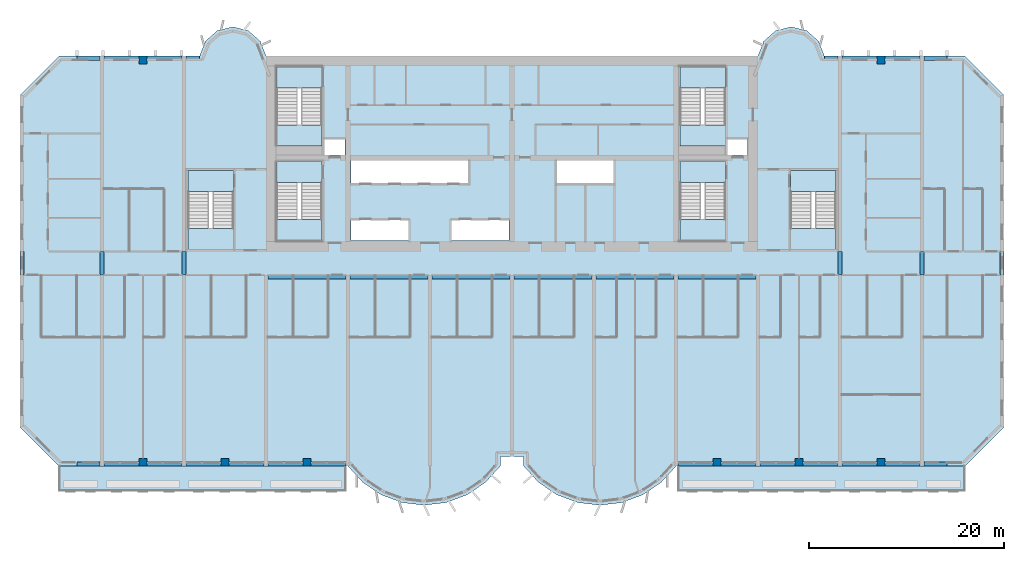
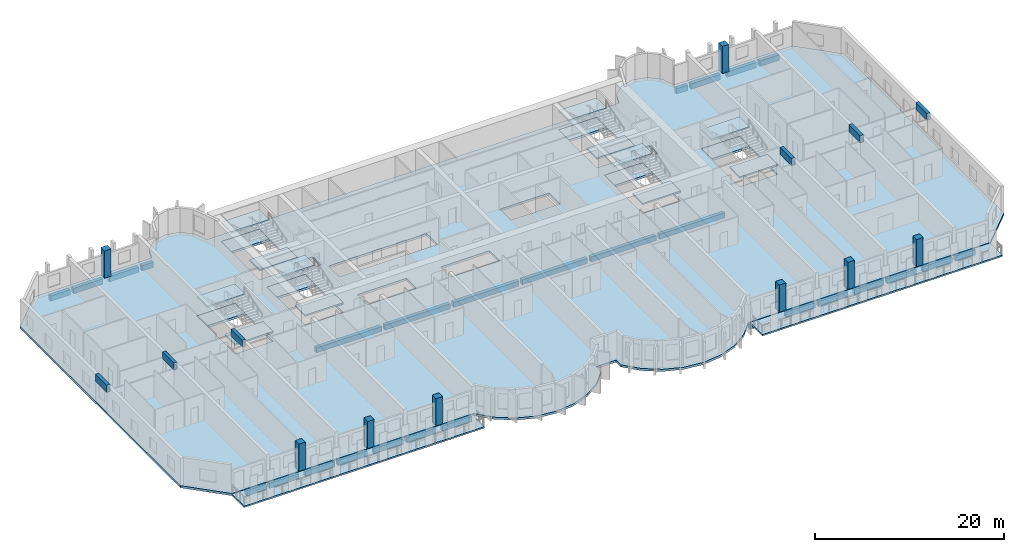
# One storey, part 1 of 15: 34 beams, 21 slabs, 8 columns, 6 elements without a shape of their own.
"""IFC4 building model written with IfcOpenShell, lengths in metres."""

from ifc_helpers import new_model, si_unit, direction, frame, origin, origin_2d, place, context, subcontext, project, spatial, polyline, rectangle, outline, extrude, source, transform, mapped, material, layer, layer_set, material_profile, profile_set, type_object, element, aggregate, save


model = new_model("IFC4")

# Units and contexts
model_context = context("Model", 3, precision=1e-05, world=origin(), true_north=direction((0.0, 1.0)))
body_context = subcontext(model_context, "Body", "Model", "MODEL_VIEW")
ifc_project = project(units=[si_unit("LENGTHUNIT", "METRE"), si_unit("AREAUNIT", "SQUARE_METRE"), si_unit("VOLUMEUNIT", "CUBIC_METRE"), si_unit("PLANEANGLEUNIT", "RADIAN"), si_unit("MASSUNIT", "GRAM", prefix="KILO")], contexts=[model_context])

# Site, building, storey
site_placement = place(None, origin())
site = spatial("IfcSite", under=ifc_project, at=site_placement, CompositionType="ELEMENT")
building_placement = place(site_placement, origin())
building = spatial("IfcBuilding", under=site, at=building_placement, Name="Vanashikhar Sky Hotel", CompositionType="ELEMENT")
storey_placement = place(building_placement, frame((0.0, 0.0, 46.800048828125)))
storey = spatial("IfcBuildingStorey", under=building, at=storey_placement, Name="L10", CompositionType="ELEMENT", Elevation=46.800048828125)

# Columns
ifc_material_1 = material(Name="Concrete M70", Category="concrete")
ifc_material_profile_1 = material_profile(ifc_material_1, rectangle(XDim=0.800048828125, YDim=0.800048828125, at=origin_2d()))
ifc_profile_set_1 = profile_set([ifc_material_profile_1], Name="RC 800x800 column Concrete M70")
column_type = type_object("IfcColumnType", Name="RC 800x800 column Concrete M70", PredefinedType="COLUMN", material=ifc_profile_set_1)
shared_shape_1 = source(origin(), body_context, "Body", "SweptSolid", [
    extrude(rectangle(XDim=0.800048828125, YDim=0.800048828125, at=origin_2d()), origin(), (0.0, 0.0, 1.0), 3.52001953125),
])
for number, where, z_axis, x_axis, name in (
    (1, (12.60009765625, 0.39990234375, 0.0), (0.0, 0.0, 1.0), (1.0, 0.0, 0.0), "CL-L10-CF02"),
    (2, (21.0, 0.39990234375, 0.0), (0.0, 0.0, 1.0), (1.0, 0.0, 0.0), "CL-L10-CF03"),
    (3, (29.39990234375, 0.39990234375, 0.0), (0.0, 0.0, 1.0), (1.0, 0.0, 0.0), "CL-L10-CF04"),
    (4, (71.39990234375, 0.39990234375, 0.0), (0.0, 0.0, 1.0), (1.0, 0.0, 0.0), "CL-L10-CF09"),
    (5, (79.800048828125, 0.39990234375, 0.0), (0.0, 0.0, 1.0), (1.0, 0.0, 0.0), "CL-L10-CF10"),
    (6, (88.199951171875, 0.39990234375, 0.0), (0.0, 0.0, 1.0), (1.0, 0.0, 0.0), "CL-L10-CF11"),
    (7, (12.60009765625, 41.60009765625, 0.0), (0.0, 0.0, 1.0), (1.0, 0.0, 0.0), "CL-L10-CR02"),
    (8, (88.199951171875, 41.60009765625, 0.0), (0.0, 0.0, 1.0), (1.0, 0.0, 0.0), "CL-L10-CR11"),
):
    element("IfcColumn", number, at=place(storey_placement, frame(where, z_axis=z_axis, x_axis=x_axis)), inside=storey, type_object=column_type, Name=name, PredefinedType="COLUMN", context=body_context, shape_type="MappedRepresentation", body=[
        mapped(shared_shape_1, transform((0.0, 0.0, 0.0), scale=1.0)),
    ])

# Beams
ifc_material_2 = material(Name="Concrete M50", Category="concrete")
ifc_material_profile_2 = material_profile(ifc_material_2, rectangle(XDim=0.39990234375, YDim=0.89990234375, at=origin_2d()))
ifc_profile_set_2 = profile_set([ifc_material_profile_2], Name="RC 400x900 beam Concrete M50")
beam_type_1 = type_object("IfcBeamType", Name="RC 400x900 beam Concrete M50", PredefinedType="LINTEL", material=ifc_profile_set_2)
shared_shape_2 = source(origin(), body_context, "Body", "SweptSolid", [
    extrude(rectangle(XDim=0.39990234375, YDim=0.89990234375, at=origin_2d()), origin(), (0.0, 0.0, 1.0), 2.39990234375),
])
for number, where, z_axis, x_axis, name in (
    (9, (0.199951171875, 19.60009765625, 3.070068359375), (0.0, 1.0, 0.0), (-1.0, 0.0, 0.0), "LB-L10-XW01"),
    (10, (8.39990234375, 19.60009765625, 3.070068359375), (0.0, 1.0, 0.0), (-1.0, 0.0, 0.0), "LB-L10-XW02"),
    (11, (16.800048828125, 19.60009765625, 3.070068359375), (0.0, 1.0, 0.0), (-1.0, 0.0, 0.0), "LB-L10-XW03"),
    (12, (84.0, 19.60009765625, 3.070068359375), (0.0, 1.0, 0.0), (-1.0, 0.0, 0.0), "LB-L10-XW11"),
    (13, (92.39990234375, 19.60009765625, 3.070068359375), (0.0, 1.0, 0.0), (-1.0, 0.0, 0.0), "LB-L10-XW12"),
    (14, (100.60009765625, 19.60009765625, 3.070068359375), (0.0, 1.0, 0.0), (-1.0, 0.0, 0.0), "LB-L10-XW13"),
):
    element("IfcBeam", number, at=place(storey_placement, frame(where, z_axis=z_axis, x_axis=x_axis)), inside=storey, type_object=beam_type_1, Name=name, PredefinedType="LINTEL", context=body_context, shape_type="MappedRepresentation", body=[
        mapped(shared_shape_2, transform((0.0, 0.0, 0.0), scale=1.0)),
    ])
ifc_material_profile_3 = material_profile(ifc_material_2, rectangle(XDim=0.449951171875, YDim=0.699951171875, at=origin_2d()))
ifc_profile_set_3 = profile_set([ifc_material_profile_3], Name="RC 450x700 beam Concrete M50")
beam_type_2 = type_object("IfcBeamType", Name="RC 450x700 beam Concrete M50", PredefinedType="BEAM", material=ifc_profile_set_3)
shared_shape_3 = source(origin(), body_context, "Body", "SweptSolid", [
    extrude(rectangle(XDim=0.449951171875, YDim=0.699951171875, at=origin_2d()), origin(), (0.0, 0.0, 1.0), 3.599853515625),
])
for number, where, z_axis, x_axis, name in (
    (15, (8.60009765625, 0.22509765625, -0.630126953125), (1.0, 0.0, 0.0), (0.0, 1.0, 0.0), "EB-L10-F01"),
    (16, (29.800048828125, 0.22509765625, -0.630126953125), (1.0, 0.0, 0.0), (0.0, 1.0, 0.0), "EB-L10-F06"),
    (17, (71.800048828125, 0.22509765625, -0.630126953125), (1.0, 0.0, 0.0), (0.0, 1.0, 0.0), "EB-L10-F09"),
    (18, (75.800048828125, 0.22509765625, -0.630126953125), (1.0, 0.0, 0.0), (0.0, 1.0, 0.0), "EB-L10-F10"),
    (19, (88.60009765625, 0.22509765625, -0.630126953125), (1.0, 0.0, 0.0), (0.0, 1.0, 0.0), "EB-L10-F13"),
    (20, (8.60009765625, 41.77490234375, -0.630126953125), (1.0, 0.0, 0.0), (0.0, 1.0, 0.0), "EB-L10-R01"),
    (21, (88.60009765625, 41.77490234375, -0.630126953125), (1.0, 0.0, 0.0), (0.0, 1.0, 0.0), "EB-L10-R06"),
):
    element("IfcBeam", number, at=place(storey_placement, frame(where, z_axis=z_axis, x_axis=x_axis)), inside=storey, type_object=beam_type_2, Name=name, PredefinedType="BEAM", context=body_context, shape_type="MappedRepresentation", body=[
        mapped(shared_shape_3, transform((0.0, 0.0, 0.0), scale=1.0)),
    ])
shared_shape_4 = source(origin(), body_context, "Body", "SweptSolid", [
    extrude(rectangle(XDim=0.449951171875, YDim=0.699951171875, at=origin_2d()), origin(), (0.0, 0.0, 1.0), 3.60009765625),
])
for number, where, z_axis, x_axis, name in (
    (22, (13.0, 0.22509765625, -0.630126953125), (1.0, 0.0, 0.0), (0.0, 1.0, 0.0), "EB-L10-F02"),
    (23, (17.0, 0.22509765625, -0.630126953125), (1.0, 0.0, 0.0), (0.0, 1.0, 0.0), "EB-L10-F03"),
    (24, (21.39990234375, 0.22509765625, -0.630126953125), (1.0, 0.0, 0.0), (0.0, 1.0, 0.0), "EB-L10-F04"),
    (25, (25.39990234375, 0.22509765625, -0.630126953125), (1.0, 0.0, 0.0), (0.0, 1.0, 0.0), "EB-L10-F05"),
    (26, (67.39990234375, 0.22509765625, -0.630126953125), (1.0, 0.0, 0.0), (0.0, 1.0, 0.0), "EB-L10-F08"),
    (27, (80.199951171875, 0.22509765625, -0.630126953125), (1.0, 0.0, 0.0), (0.0, 1.0, 0.0), "EB-L10-F11"),
    (28, (84.199951171875, 0.22509765625, -0.630126953125), (1.0, 0.0, 0.0), (0.0, 1.0, 0.0), "EB-L10-F12"),
    (29, (13.0, 41.77490234375, -0.630126953125), (1.0, 0.0, 0.0), (0.0, 1.0, 0.0), "EB-L10-R02"),
    (30, (84.199951171875, 41.77490234375, -0.630126953125), (1.0, 0.0, 0.0), (0.0, 1.0, 0.0), "EB-L10-R05"),
):
    element("IfcBeam", number, at=place(storey_placement, frame(where, z_axis=z_axis, x_axis=x_axis)), inside=storey, type_object=beam_type_2, Name=name, PredefinedType="BEAM", context=body_context, shape_type="MappedRepresentation", body=[
        mapped(shared_shape_4, transform((0.0, 0.0, 0.0), scale=1.0)),
    ])
ifc_material_profile_4 = material_profile(ifc_material_2, rectangle(XDim=0.449951171875, YDim=0.699951171875, at=origin_2d()))
ifc_profile_set_4 = profile_set([ifc_material_profile_4], Name="RC 450x700 cantilever beam Concrete M50")
beam_type_3 = type_object("IfcBeamType", Name="RC 450x700 cantilever beam Concrete M50", PredefinedType="SPANDREL", material=ifc_profile_set_4)
shared_shape_5 = source(origin(), body_context, "Body", "SweptSolid", [
    extrude(rectangle(XDim=0.449951171875, YDim=0.699951171875, at=origin_2d()), origin(), (0.0, 0.0, 1.0), 2.3798828125),
])
for number, where, z_axis, x_axis, name in (
    (31, (5.820068359375, 0.22509765625, -0.630126953125), (1.0, 0.0, 0.0), (0.0, 1.0, 0.0), "EB-L10-F07"),
    (32, (92.60009765625, 0.22509765625, -0.630126953125), (1.0, 0.0, 0.0), (0.0, 1.0, 0.0), "EB-L10-F14"),
    (33, (5.820068359375, 41.77490234375, -0.630126953125), (1.0, 0.0, 0.0), (0.0, 1.0, 0.0), "EB-L10-R03"),
    (34, (92.60009765625, 41.77490234375, -0.630126953125), (1.0, 0.0, 0.0), (0.0, 1.0, 0.0), "EB-L10-R08"),
):
    element("IfcBeam", number, at=place(storey_placement, frame(where, z_axis=z_axis, x_axis=x_axis)), inside=storey, type_object=beam_type_3, Name=name, PredefinedType="SPANDREL", context=body_context, shape_type="MappedRepresentation", body=[
        mapped(shared_shape_5, transform((0.0, 0.0, 0.0), scale=1.0)),
    ])
shared_shape_6 = source(origin(), body_context, "Body", "SweptSolid", [
    extrude(rectangle(XDim=0.449951171875, YDim=0.699951171875, at=origin_2d()), origin(), (0.0, 0.0, 1.0), 1.39990234375),
])
beam_1_placement = place(storey_placement, frame((17.0, 41.77490234375, -0.630126953125), z_axis=(1.0, 0.0, 0.0), x_axis=(0.0, 1.0, 0.0)))
element("IfcBeam", 35, at=beam_1_placement, inside=storey, type_object=beam_type_3, Name="EB-L10-R04", PredefinedType="SPANDREL", context=body_context, shape_type="MappedRepresentation", body=[
    mapped(shared_shape_6, transform((0.0, 0.0, 0.0), scale=1.0)),
])
shared_shape_7 = source(origin(), body_context, "Body", "SweptSolid", [
    extrude(rectangle(XDim=0.449951171875, YDim=0.699951171875, at=origin_2d()), origin(), (0.0, 0.0, 1.0), 1.400146484375),
])
beam_2_placement = place(storey_placement, frame((82.39990234375, 41.77490234375, -0.630126953125), z_axis=(1.0, 0.0, 0.0), x_axis=(0.0, 1.0, 0.0)))
element("IfcBeam", 36, at=beam_2_placement, inside=storey, type_object=beam_type_3, Name="EB-L10-R07", PredefinedType="SPANDREL", context=body_context, shape_type="MappedRepresentation", body=[
    mapped(shared_shape_7, transform((0.0, 0.0, 0.0), scale=1.0)),
])
ifc_material_profile_5 = material_profile(ifc_material_2, rectangle(XDim=0.449951171875, YDim=0.64990234375, at=origin_2d()))
ifc_profile_set_5 = profile_set([ifc_material_profile_5], Name="RC 450x650 beam Concrete M50")
beam_type_4 = type_object("IfcBeamType", Name="RC 450x650 beam Concrete M50", PredefinedType="BEAM", material=ifc_profile_set_5)
shared_shape_8 = source(origin(), body_context, "Body", "SweptSolid", [
    extrude(rectangle(XDim=0.449951171875, YDim=0.64990234375, at=origin_2d()), origin(), (0.0, 0.0, 1.0), 8.0),
])
for number, where, z_axis, x_axis, name in (
    (37, (25.39990234375, 19.375, -0.60498046875), (1.0, 0.0, 0.0), (0.0, 1.0, 0.0), "CB-L10-01"),
    (38, (33.800048828125, 19.375, -0.60498046875), (1.0, 0.0, 0.0), (0.0, 1.0, 0.0), "CB-L10-02"),
    (39, (42.199951171875, 19.375, -0.60498046875), (1.0, 0.0, 0.0), (0.0, 1.0, 0.0), "CB-L10-03"),
    (40, (50.60009765625, 19.375, -0.60498046875), (1.0, 0.0, 0.0), (0.0, 1.0, 0.0), "CB-L10-04"),
    (41, (59.0, 19.375, -0.60498046875), (1.0, 0.0, 0.0), (0.0, 1.0, 0.0), "CB-L10-05"),
    (42, (67.39990234375, 19.375, -0.60498046875), (1.0, 0.0, 0.0), (0.0, 1.0, 0.0), "CB-L10-06"),
):
    element("IfcBeam", number, at=place(storey_placement, frame(where, z_axis=z_axis, x_axis=x_axis)), inside=storey, type_object=beam_type_4, Name=name, PredefinedType="BEAM", context=body_context, shape_type="MappedRepresentation", body=[
        mapped(shared_shape_8, transform((0.0, 0.0, 0.0), scale=1.0)),
    ])

# Slabs
ifc_material_3 = material(Name="Concrete M40", Category="concrete")
ifc_layer_1 = layer(ifc_material_3, 0.280029296875)
ifc_layer_set_1 = layer_set([ifc_layer_1], Name="Floor slab 280 mm")
slab_type_1 = type_object("IfcSlabType", Name="Floor slab 280 mm", PredefinedType="FLOOR", material=ifc_layer_set_1)
shared_shape_9 = source(origin(), body_context, "Body", "SweptSolid", [
    extrude(outline(polyline([(49.199951171875, 0.0), (49.199951171875, 1.0), (51.60009765625, 1.0), (51.60009765625, 0.0), (53.133056640625, -1.674072265625), (55.01708984375, -2.94189453125), (57.14599609375, -3.73193359375), (59.39990234375, -4.0), (61.654052734375, -3.73193359375), (63.782958984375, -2.94189453125), (65.6669921875, -1.674072265625), (67.199951171875, 0.0), (96.800048828125, 0.0), (100.800048828125, 4.0), (100.800048828125, 38.0), (96.800048828125, 42.0), (82.39990234375, 42.0), (81.81494140625, 43.527099609375), (80.587890625, 44.610107421875), (79.0, 45.0), (77.412109375, 44.610107421875), (76.18505859375, 43.527099609375), (75.60009765625, 42.0), (25.199951171875, 42.0), (24.614990234375, 43.527099609375), (23.387939453125, 44.610107421875), (21.800048828125, 45.0), (20.2119140625, 44.610107421875), (18.985107421875, 43.527099609375), (18.39990234375, 42.0), (4.0, 42.0), (0.0, 38.0), (0.0, 4.0), (4.0, 0.0), (33.60009765625, 0.0), (35.133056640625, -1.674072265625), (37.01708984375, -2.94189453125), (39.14599609375, -3.73193359375), (41.39990234375, -4.0), (43.654052734375, -3.73193359375), (45.782958984375, -2.94189453125), (47.6669921875, -1.674072265625), (49.199951171875, 0.0)]), holes=[polyline([(33.300048828125, 33.60009765625), (31.050048828125, 33.60009765625), (31.050048828125, 31.89990234375), (33.300048828125, 31.89990234375), (33.300048828125, 33.60009765625)]), polyline([(33.89990234375, 25.199951171875), (33.89990234375, 23.10009765625), (39.89990234375, 23.10009765625), (39.89990234375, 25.199951171875), (33.89990234375, 25.199951171875)]), polyline([(33.89990234375, 31.300048828125), (33.89990234375, 29.0), (45.89990234375, 29.0), (45.89990234375, 31.300048828125), (33.89990234375, 31.300048828125)]), polyline([(44.10009765625, 25.199951171875), (44.10009765625, 23.10009765625), (50.10009765625, 23.10009765625), (50.10009765625, 25.199951171875), (44.10009765625, 25.199951171875)]), polyline([(54.89990234375, 31.300048828125), (54.89990234375, 29.0), (60.89990234375, 29.0), (60.89990234375, 31.300048828125), (54.89990234375, 31.300048828125)]), polyline([(74.5, 33.60009765625), (72.35009765625, 33.60009765625), (72.35009765625, 31.89990234375), (74.5, 31.89990234375), (74.5, 33.60009765625)]), polyline([(30.949951171875, 23.10009765625), (30.949951171875, 31.199951171875), (26.300048828125, 31.199951171875), (26.300048828125, 23.10009765625), (30.949951171875, 23.10009765625)]), polyline([(72.25, 23.10009765625), (72.25, 31.199951171875), (67.60009765625, 31.199951171875), (67.60009765625, 23.10009765625), (72.25, 23.10009765625)]), polyline([(30.949951171875, 32.800048828125), (30.949951171875, 40.89990234375), (26.300048828125, 40.89990234375), (26.300048828125, 32.800048828125), (30.949951171875, 32.800048828125)]), polyline([(72.25, 32.800048828125), (72.25, 40.89990234375), (67.60009765625, 40.89990234375), (67.60009765625, 32.800048828125), (72.25, 32.800048828125)]), polyline([(83.60009765625, 22.199951171875), (83.60009765625, 30.300048828125), (78.949951171875, 30.300048828125), (78.949951171875, 22.199951171875), (83.60009765625, 22.199951171875)]), polyline([(21.85009765625, 22.199951171875), (21.85009765625, 30.300048828125), (17.199951171875, 30.300048828125), (17.199951171875, 22.199951171875), (21.85009765625, 22.199951171875)])]), origin(), (0.0, 0.0, 1.0), 0.280029296875),
])
slab_1_placement = place(storey_placement, frame((0.0, 0.0, -0.280029296875)))
element("IfcSlab", 43, at=slab_1_placement, inside=storey, type_object=slab_type_1, Name="Floor slab L10", PredefinedType="FLOOR", context=body_context, shape_type="MappedRepresentation", body=[
    mapped(shared_shape_9, transform((0.0, 0.0, 0.0), scale=1.0)),
])
ifc_layer_2 = layer(ifc_material_3, 0.199951171875)
ifc_layer_set_2 = layer_set([ifc_layer_2], Name="Balcony slab 200 mm")
slab_type_2 = type_object("IfcSlabType", Name="Balcony slab 200 mm", PredefinedType="USERDEFINED", material=ifc_layer_set_2)
shared_shape_10 = source(origin(), body_context, "Body", "SweptSolid", [
    extrude(outline(polyline([(4.0, -2.60009765625), (33.39990234375, -2.60009765625), (33.39990234375, 0.0), (4.0, 0.0), (4.0, -2.60009765625)])), origin(), (0.0, 0.0, 1.0), 0.199951171875),
])
slab_2_placement = place(storey_placement, frame((0.0, 0.0, -0.25)))
element("IfcSlab", 44, at=slab_2_placement, inside=storey, type_object=slab_type_2, Name="Balcony slab L10 1", ObjectType="BALCONY", PredefinedType="USERDEFINED", context=body_context, shape_type="MappedRepresentation", body=[
    mapped(shared_shape_10, transform((0.0, 0.0, 0.0), scale=1.0)),
])
shared_shape_11 = source(origin(), body_context, "Body", "SweptSolid", [
    extrude(outline(polyline([(67.39990234375, -2.60009765625), (96.800048828125, -2.60009765625), (96.800048828125, 0.0), (67.39990234375, 0.0), (67.39990234375, -2.60009765625)])), origin(), (0.0, 0.0, 1.0), 0.199951171875),
])
slab_3_placement = place(storey_placement, frame((0.0, 0.0, -0.25)))
element("IfcSlab", 45, at=slab_3_placement, inside=storey, type_object=slab_type_2, Name="Balcony slab L10 2", ObjectType="BALCONY", PredefinedType="USERDEFINED", context=body_context, shape_type="MappedRepresentation", body=[
    mapped(shared_shape_11, transform((0.0, 0.0, 0.0), scale=1.0)),
])

# Stair, slabs
stair_type = type_object("IfcStairType", Name="Exit stair 2150", PredefinedType="DOUBLE_RETURN_STAIR", material=ifc_material_3)
stair_1_placement = place(storey_placement, origin())
stair_1 = element("IfcStair", 46, at=stair_1_placement, inside=storey, type_object=stair_type, Name="L10 Exit stair 1", PredefinedType="DOUBLE_RETURN_STAIR")
ifc_layer_3 = layer(ifc_material_3, 0.199951171875)
ifc_layer_set_3 = layer_set([ifc_layer_3], Name="Stair landing 200")
slab_type_3 = type_object("IfcSlabType", Name="Stair landing 200", PredefinedType="LANDING", material=ifc_layer_set_3)
shared_shape_12 = source(origin(), body_context, "Body", "SweptSolid", [
    extrude(outline(polyline([(30.949951171875, 29.050048828125), (30.949951171875, 31.199951171875), (26.300048828125, 31.199951171875), (26.300048828125, 29.050048828125), (30.949951171875, 29.050048828125)])), origin(), (0.0, 0.0, 1.0), 0.199951171875),
])
slab_4_placement = place(storey_placement, frame((0.0, 0.0, 2.333251953125)))
slab_4 = element("IfcSlab", 47, at=slab_4_placement, type_object=slab_type_3, Name="ST-C1 landing 2", PredefinedType="LANDING", context=body_context, shape_type="MappedRepresentation", body=[
    mapped(shared_shape_12, transform((0.0, 0.0, 0.0), scale=1.0)),
])
shared_shape_13 = source(origin(), body_context, "Body", "SweptSolid", [
    extrude(outline(polyline([(30.949951171875, 23.10009765625), (30.949951171875, 25.25), (26.300048828125, 25.25), (26.300048828125, 23.10009765625), (30.949951171875, 23.10009765625)])), origin(), (0.0, 0.0, 1.0), 0.199951171875),
])
slab_5_placement = place(storey_placement, frame((0.0, 0.0, 1.066650390625)))
slab_5 = element("IfcSlab", 48, at=slab_5_placement, type_object=slab_type_3, Name="ST-C1 landing 1", PredefinedType="LANDING", context=body_context, shape_type="MappedRepresentation", body=[
    mapped(shared_shape_13, transform((0.0, 0.0, 0.0), scale=1.0)),
])
aggregate(stair_1, [slab_5, slab_4])

# Slab
ifc_layer_4 = layer(ifc_material_3, 0.280029296875)
ifc_layer_set_4 = layer_set([ifc_layer_4], Name="Stair floor landing 280")
slab_type_4 = type_object("IfcSlabType", Name="Stair floor landing 280", PredefinedType="LANDING", material=ifc_layer_set_4)
shared_shape_14 = source(origin(), body_context, "Body", "SweptSolid", [
    extrude(outline(polyline([(30.949951171875, 29.050048828125), (30.949951171875, 31.199951171875), (26.300048828125, 31.199951171875), (26.300048828125, 29.050048828125), (30.949951171875, 29.050048828125)])), origin(), (0.0, 0.0, 1.0), 0.280029296875),
])
slab_6_placement = place(storey_placement, frame((0.0, 0.0, -0.280029296875)))
element("IfcSlab", 49, at=slab_6_placement, inside=storey, type_object=slab_type_4, Name="Exit stair 1 floor landing", PredefinedType="LANDING", context=body_context, shape_type="MappedRepresentation", body=[
    mapped(shared_shape_14, transform((0.0, 0.0, 0.0), scale=1.0)),
])

# Stair, slabs
stair_2_placement = place(storey_placement, origin())
stair_2 = element("IfcStair", 50, at=stair_2_placement, inside=storey, type_object=stair_type, Name="L10 Exit stair 2", PredefinedType="DOUBLE_RETURN_STAIR")
shared_shape_15 = source(origin(), body_context, "Body", "SweptSolid", [
    extrude(outline(polyline([(72.25, 29.050048828125), (72.25, 31.199951171875), (67.60009765625, 31.199951171875), (67.60009765625, 29.050048828125), (72.25, 29.050048828125)])), origin(), (0.0, 0.0, 1.0), 0.199951171875),
])
slab_7_placement = place(storey_placement, frame((0.0, 0.0, 2.333251953125)))
slab_7 = element("IfcSlab", 51, at=slab_7_placement, type_object=slab_type_3, Name="ST-C2 landing 2", PredefinedType="LANDING", context=body_context, shape_type="MappedRepresentation", body=[
    mapped(shared_shape_15, transform((0.0, 0.0, 0.0), scale=1.0)),
])
shared_shape_16 = source(origin(), body_context, "Body", "SweptSolid", [
    extrude(outline(polyline([(72.25, 23.10009765625), (72.25, 25.25), (67.60009765625, 25.25), (67.60009765625, 23.10009765625), (72.25, 23.10009765625)])), origin(), (0.0, 0.0, 1.0), 0.199951171875),
])
slab_8_placement = place(storey_placement, frame((0.0, 0.0, 1.066650390625)))
slab_8 = element("IfcSlab", 52, at=slab_8_placement, type_object=slab_type_3, Name="ST-C2 landing 1", PredefinedType="LANDING", context=body_context, shape_type="MappedRepresentation", body=[
    mapped(shared_shape_16, transform((0.0, 0.0, 0.0), scale=1.0)),
])
aggregate(stair_2, [slab_8, slab_7])

# Slab
shared_shape_17 = source(origin(), body_context, "Body", "SweptSolid", [
    extrude(outline(polyline([(72.25, 29.050048828125), (72.25, 31.199951171875), (67.60009765625, 31.199951171875), (67.60009765625, 29.050048828125), (72.25, 29.050048828125)])), origin(), (0.0, 0.0, 1.0), 0.280029296875),
])
slab_9_placement = place(storey_placement, frame((0.0, 0.0, -0.280029296875)))
element("IfcSlab", 53, at=slab_9_placement, inside=storey, type_object=slab_type_4, Name="Exit stair 2 floor landing", PredefinedType="LANDING", context=body_context, shape_type="MappedRepresentation", body=[
    mapped(shared_shape_17, transform((0.0, 0.0, 0.0), scale=1.0)),
])

# Stair, slabs
stair_3_placement = place(storey_placement, origin())
stair_3 = element("IfcStair", 54, at=stair_3_placement, inside=storey, type_object=stair_type, Name="L10 Exit stair 3", PredefinedType="DOUBLE_RETURN_STAIR")
shared_shape_18 = source(origin(), body_context, "Body", "SweptSolid", [
    extrude(outline(polyline([(21.85009765625, 28.14990234375), (21.85009765625, 30.300048828125), (17.199951171875, 30.300048828125), (17.199951171875, 28.14990234375), (21.85009765625, 28.14990234375)])), origin(), (0.0, 0.0, 1.0), 0.199951171875),
])
slab_10_placement = place(storey_placement, frame((0.0, 0.0, 2.333251953125)))
slab_10 = element("IfcSlab", 55, at=slab_10_placement, type_object=slab_type_3, Name="ST-W landing 2", PredefinedType="LANDING", context=body_context, shape_type="MappedRepresentation", body=[
    mapped(shared_shape_18, transform((0.0, 0.0, 0.0), scale=1.0)),
])
shared_shape_19 = source(origin(), body_context, "Body", "SweptSolid", [
    extrude(outline(polyline([(21.85009765625, 22.199951171875), (21.85009765625, 24.35009765625), (17.199951171875, 24.35009765625), (17.199951171875, 22.199951171875), (21.85009765625, 22.199951171875)])), origin(), (0.0, 0.0, 1.0), 0.199951171875),
])
slab_11_placement = place(storey_placement, frame((0.0, 0.0, 1.066650390625)))
slab_11 = element("IfcSlab", 56, at=slab_11_placement, type_object=slab_type_3, Name="ST-W landing 1", PredefinedType="LANDING", context=body_context, shape_type="MappedRepresentation", body=[
    mapped(shared_shape_19, transform((0.0, 0.0, 0.0), scale=1.0)),
])
aggregate(stair_3, [slab_11, slab_10])

# Slab
shared_shape_20 = source(origin(), body_context, "Body", "SweptSolid", [
    extrude(outline(polyline([(21.85009765625, 28.14990234375), (21.85009765625, 30.300048828125), (17.199951171875, 30.300048828125), (17.199951171875, 28.14990234375), (21.85009765625, 28.14990234375)])), origin(), (0.0, 0.0, 1.0), 0.280029296875),
])
slab_12_placement = place(storey_placement, frame((0.0, 0.0, -0.280029296875)))
element("IfcSlab", 57, at=slab_12_placement, inside=storey, type_object=slab_type_4, Name="Exit stair 3 floor landing", PredefinedType="LANDING", context=body_context, shape_type="MappedRepresentation", body=[
    mapped(shared_shape_20, transform((0.0, 0.0, 0.0), scale=1.0)),
])

# Stair, slabs
stair_4_placement = place(storey_placement, origin())
stair_4 = element("IfcStair", 58, at=stair_4_placement, inside=storey, type_object=stair_type, Name="L10 Exit stair 4", PredefinedType="DOUBLE_RETURN_STAIR")
shared_shape_21 = source(origin(), body_context, "Body", "SweptSolid", [
    extrude(outline(polyline([(83.60009765625, 28.14990234375), (83.60009765625, 30.300048828125), (78.949951171875, 30.300048828125), (78.949951171875, 28.14990234375), (83.60009765625, 28.14990234375)])), origin(), (0.0, 0.0, 1.0), 0.199951171875),
])
slab_13_placement = place(storey_placement, frame((0.0, 0.0, 2.333251953125)))
slab_13 = element("IfcSlab", 59, at=slab_13_placement, type_object=slab_type_3, Name="ST-E landing 2", PredefinedType="LANDING", context=body_context, shape_type="MappedRepresentation", body=[
    mapped(shared_shape_21, transform((0.0, 0.0, 0.0), scale=1.0)),
])
shared_shape_22 = source(origin(), body_context, "Body", "SweptSolid", [
    extrude(outline(polyline([(83.60009765625, 22.199951171875), (83.60009765625, 24.35009765625), (78.949951171875, 24.35009765625), (78.949951171875, 22.199951171875), (83.60009765625, 22.199951171875)])), origin(), (0.0, 0.0, 1.0), 0.199951171875),
])
slab_14_placement = place(storey_placement, frame((0.0, 0.0, 1.066650390625)))
slab_14 = element("IfcSlab", 60, at=slab_14_placement, type_object=slab_type_3, Name="ST-E landing 1", PredefinedType="LANDING", context=body_context, shape_type="MappedRepresentation", body=[
    mapped(shared_shape_22, transform((0.0, 0.0, 0.0), scale=1.0)),
])
aggregate(stair_4, [slab_14, slab_13])

# Slab
shared_shape_23 = source(origin(), body_context, "Body", "SweptSolid", [
    extrude(outline(polyline([(83.60009765625, 28.14990234375), (83.60009765625, 30.300048828125), (78.949951171875, 30.300048828125), (78.949951171875, 28.14990234375), (83.60009765625, 28.14990234375)])), origin(), (0.0, 0.0, 1.0), 0.280029296875),
])
slab_15_placement = place(storey_placement, frame((0.0, 0.0, -0.280029296875)))
element("IfcSlab", 61, at=slab_15_placement, inside=storey, type_object=slab_type_4, Name="Exit stair 4 floor landing", PredefinedType="LANDING", context=body_context, shape_type="MappedRepresentation", body=[
    mapped(shared_shape_23, transform((0.0, 0.0, 0.0), scale=1.0)),
])

# Stair, slabs
stair_5_placement = place(storey_placement, origin())
stair_5 = element("IfcStair", 62, at=stair_5_placement, inside=storey, type_object=stair_type, Name="L10 Exit stair 5", PredefinedType="DOUBLE_RETURN_STAIR")
shared_shape_24 = source(origin(), body_context, "Body", "SweptSolid", [
    extrude(outline(polyline([(30.949951171875, 38.75), (30.949951171875, 40.89990234375), (26.300048828125, 40.89990234375), (26.300048828125, 38.75), (30.949951171875, 38.75)])), origin(), (0.0, 0.0, 1.0), 0.199951171875),
])
slab_16_placement = place(storey_placement, frame((0.0, 0.0, 2.333251953125)))
slab_16 = element("IfcSlab", 63, at=slab_16_placement, type_object=slab_type_3, Name="ST-C3 landing 2", PredefinedType="LANDING", context=body_context, shape_type="MappedRepresentation", body=[
    mapped(shared_shape_24, transform((0.0, 0.0, 0.0), scale=1.0)),
])
shared_shape_25 = source(origin(), body_context, "Body", "SweptSolid", [
    extrude(outline(polyline([(30.949951171875, 32.800048828125), (30.949951171875, 34.949951171875), (26.300048828125, 34.949951171875), (26.300048828125, 32.800048828125), (30.949951171875, 32.800048828125)])), origin(), (0.0, 0.0, 1.0), 0.199951171875),
])
slab_17_placement = place(storey_placement, frame((0.0, 0.0, 1.066650390625)))
slab_17 = element("IfcSlab", 64, at=slab_17_placement, type_object=slab_type_3, Name="ST-C3 landing 1", PredefinedType="LANDING", context=body_context, shape_type="MappedRepresentation", body=[
    mapped(shared_shape_25, transform((0.0, 0.0, 0.0), scale=1.0)),
])
aggregate(stair_5, [slab_17, slab_16])

# Slab
shared_shape_26 = source(origin(), body_context, "Body", "SweptSolid", [
    extrude(outline(polyline([(30.949951171875, 38.75), (30.949951171875, 40.89990234375), (26.300048828125, 40.89990234375), (26.300048828125, 38.75), (30.949951171875, 38.75)])), origin(), (0.0, 0.0, 1.0), 0.280029296875),
])
slab_18_placement = place(storey_placement, frame((0.0, 0.0, -0.280029296875)))
element("IfcSlab", 65, at=slab_18_placement, inside=storey, type_object=slab_type_4, Name="Exit stair 5 floor landing", PredefinedType="LANDING", context=body_context, shape_type="MappedRepresentation", body=[
    mapped(shared_shape_26, transform((0.0, 0.0, 0.0), scale=1.0)),
])

# Stair, slabs
stair_6_placement = place(storey_placement, origin())
stair_6 = element("IfcStair", 66, at=stair_6_placement, inside=storey, type_object=stair_type, Name="L10 Exit stair 6", PredefinedType="DOUBLE_RETURN_STAIR")
shared_shape_27 = source(origin(), body_context, "Body", "SweptSolid", [
    extrude(outline(polyline([(72.25, 38.75), (72.25, 40.89990234375), (67.60009765625, 40.89990234375), (67.60009765625, 38.75), (72.25, 38.75)])), origin(), (0.0, 0.0, 1.0), 0.199951171875),
])
slab_19_placement = place(storey_placement, frame((0.0, 0.0, 2.333251953125)))
slab_19 = element("IfcSlab", 67, at=slab_19_placement, type_object=slab_type_3, Name="ST-C4 landing 2", PredefinedType="LANDING", context=body_context, shape_type="MappedRepresentation", body=[
    mapped(shared_shape_27, transform((0.0, 0.0, 0.0), scale=1.0)),
])
shared_shape_28 = source(origin(), body_context, "Body", "SweptSolid", [
    extrude(outline(polyline([(72.25, 32.800048828125), (72.25, 34.949951171875), (67.60009765625, 34.949951171875), (67.60009765625, 32.800048828125), (72.25, 32.800048828125)])), origin(), (0.0, 0.0, 1.0), 0.199951171875),
])
slab_20_placement = place(storey_placement, frame((0.0, 0.0, 1.066650390625)))
slab_20 = element("IfcSlab", 68, at=slab_20_placement, type_object=slab_type_3, Name="ST-C4 landing 1", PredefinedType="LANDING", context=body_context, shape_type="MappedRepresentation", body=[
    mapped(shared_shape_28, transform((0.0, 0.0, 0.0), scale=1.0)),
])
aggregate(stair_6, [slab_20, slab_19])

# Slab
shared_shape_29 = source(origin(), body_context, "Body", "SweptSolid", [
    extrude(outline(polyline([(72.25, 38.75), (72.25, 40.89990234375), (67.60009765625, 40.89990234375), (67.60009765625, 38.75), (72.25, 38.75)])), origin(), (0.0, 0.0, 1.0), 0.280029296875),
])
slab_21_placement = place(storey_placement, frame((0.0, 0.0, -0.280029296875)))
element("IfcSlab", 69, at=slab_21_placement, inside=storey, type_object=slab_type_4, Name="Exit stair 6 floor landing", PredefinedType="LANDING", context=body_context, shape_type="MappedRepresentation", body=[
    mapped(shared_shape_29, transform((0.0, 0.0, 0.0), scale=1.0)),
])

save(model, "model.ifc")
